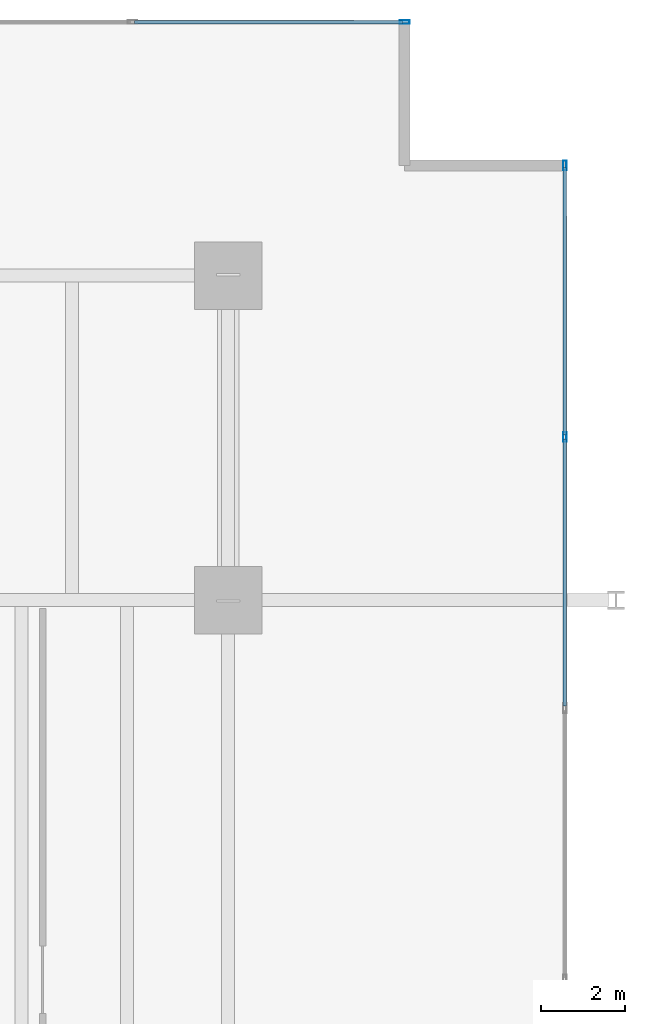
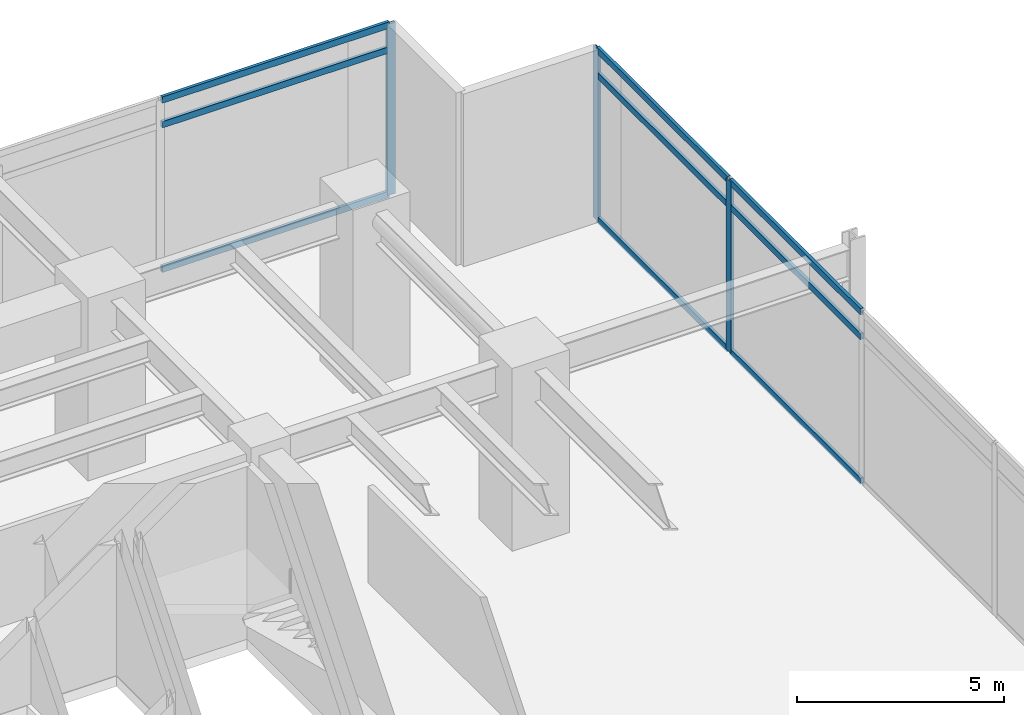
# One storey, part 17 of 23: 12 members, 2 elements without a shape of their own.
"""IFC4 building model written with IfcOpenShell, lengths in metres."""

from ifc_helpers import new_model, si_unit, direction, frame, origin, origin_2d, place, context, subcontext, project, spatial, hollow_rectangle, extrude, material, material_profile, profile_set, type_object, element, aggregate, save


model = new_model("IFC4")

# Units and contexts
model_context = context("Model", 3, precision=1e-05, world=origin(), true_north=direction((0.0, 1.0)))
body_context = subcontext(model_context, "Body", "Model", "MODEL_VIEW")
ifc_project = project(units=[si_unit("LENGTHUNIT", "METRE"), si_unit("AREAUNIT", "SQUARE_METRE"), si_unit("VOLUMEUNIT", "CUBIC_METRE"), si_unit("PLANEANGLEUNIT", "RADIAN"), si_unit("MASSUNIT", "GRAM", prefix="KILO")], contexts=[model_context])

# Site, building, storey
site_placement = place(None, origin())
site = spatial("IfcSite", under=ifc_project, at=site_placement, CompositionType="ELEMENT")
building_placement = place(site_placement, origin())
building = spatial("IfcBuilding", under=site, at=building_placement, Name="Kovane Verandah Tower", CompositionType="ELEMENT")
storey_placement = place(building_placement, frame((0.0, 0.0, 107.60009765625)))
storey = spatial("IfcBuildingStorey", under=building, at=storey_placement, Name="L25", CompositionType="ELEMENT", Elevation=107.60009765625)

# Curtain wall, members
ifc_material_1 = material(Name="Champagne Anodised Aluminium Frame with Low-E Clear Laminated Glass", Category="aluminium")
curtain_wall_type = type_object("IfcCurtainWallType", Name="CW-SYS-02-LOW", PredefinedType="NOTDEFINED", material=ifc_material_1)
curtain_wall_1_placement = place(storey_placement, origin())
curtain_wall_1 = element("IfcCurtainWall", 1, at=curtain_wall_1_placement, inside=storey, type_object=curtain_wall_type, Name="L25 E Unitised Curtain Wall", PredefinedType="NOTDEFINED")
ifc_material_2 = material(Name="Champagne Anodised Aluminium 6063-T6", Category="aluminium")
ifc_material_profile_1 = material_profile(ifc_material_2, hollow_rectangle(XDim=0.0849609375, YDim=0.22998046875, WallThickness=0.00390625, at=origin_2d()), Name="AL85x230x4")
ifc_profile_set_1 = profile_set([ifc_material_profile_1], Name="Champagne Anodised Aluminium 6063-T6")
member_type_1 = type_object("IfcMemberType", Name="CW-MUL-85x230", PredefinedType="MULLION", material=ifc_profile_set_1)
member_1_placement = place(storey_placement, frame((66.386962890625, 40.373779296875, 0.02001953125), z_axis=(0.0, 0.0, 1.0), x_axis=(1.0, 0.0, 0.0)))
member_1 = element("IfcMember", 2, at=member_1_placement, type_object=member_type_1, Name="L25 E Unitised Curtain Wall Mullion 6", PredefinedType="MULLION", context=body_context, shape_type="SweptSolid", body=[
    extrude(hollow_rectangle(XDim=0.0849609375, YDim=0.22998046875, WallThickness=0.00390625, at=origin_2d()), origin(), (0.0, 0.0, 1.0), 5.059814453125),
])
member_2_placement = place(storey_placement, frame((66.386962890625, 46.810791015625, 0.02001953125), z_axis=(0.0, 0.0, 1.0), x_axis=(1.0, 0.0, 0.0)))
member_2 = element("IfcMember", 3, at=member_2_placement, type_object=member_type_1, Name="L25 E Unitised Curtain Wall Mullion 7", PredefinedType="MULLION", context=body_context, shape_type="SweptSolid", body=[
    extrude(hollow_rectangle(XDim=0.0849609375, YDim=0.22998046875, WallThickness=0.00390625, at=origin_2d()), origin(), (0.0, 0.0, 1.0), 5.059814453125),
])

# Curtain wall, member
curtain_wall_2_placement = place(storey_placement, origin())
curtain_wall_2 = element("IfcCurtainWall", 4, at=curtain_wall_2_placement, inside=storey, type_object=curtain_wall_type, Name="L25 N Unitised Curtain Wall", PredefinedType="NOTDEFINED")
member_3_placement = place(storey_placement, frame((62.5869140625, 50.2109375, 0.02001953125), z_axis=(0.0, 0.0, 1.0), x_axis=(0.0, 1.0, 0.0)))
member_3 = element("IfcMember", 5, at=member_3_placement, type_object=member_type_1, Name="L25 N Unitised Curtain Wall Mullion 1", PredefinedType="MULLION", context=body_context, shape_type="SweptSolid", body=[
    extrude(hollow_rectangle(XDim=0.0849609375, YDim=0.22998046875, WallThickness=0.00390625, at=origin_2d()), origin(), (0.0, 0.0, 1.0), 5.059814453125),
])

# Member
ifc_material_profile_2 = material_profile(ifc_material_2, hollow_rectangle(XDim=0.0849609375, YDim=0.18994140625, WallThickness=0.00390625, at=origin_2d()), Name="AL85x190x4")
ifc_profile_set_2 = profile_set([ifc_material_profile_2], Name="Champagne Anodised Aluminium 6063-T6")
member_type_2 = type_object("IfcMemberType", Name="CW-TRN-85x190", PredefinedType="USERDEFINED", material=ifc_profile_set_2)
member_4_placement = place(storey_placement, frame((66.386962890625, 33.987060546875, 0.0498046875), z_axis=(0.0, 1.0, 0.0), x_axis=(-1.0, 0.0, 0.0)))
member_4 = element("IfcMember", 6, at=member_4_placement, type_object=member_type_2, Name="L25 E Unitised Curtain Wall Transom TB Bay 5", ObjectType="TRANSOM", PredefinedType="USERDEFINED", context=body_context, shape_type="SweptSolid", body=[
    extrude(hollow_rectangle(XDim=0.0849609375, YDim=0.18994140625, WallThickness=0.00390625, at=origin_2d()), origin(), (0.0, 0.0, 1.0), 6.3369140625),
])

member_5_placement = place(storey_placement, frame((66.386962890625, 33.987060546875, 4.31982421875), z_axis=(0.0, 1.0, 0.0), x_axis=(-1.0, 0.0, 0.0)))
member_5 = element("IfcMember", 7, at=member_5_placement, type_object=member_type_2, Name="L25 E Unitised Curtain Wall Transom TM Bay 5", ObjectType="TRANSOM", PredefinedType="USERDEFINED", context=body_context, shape_type="SweptSolid", body=[
    extrude(hollow_rectangle(XDim=0.0849609375, YDim=0.18994140625, WallThickness=0.00390625, at=origin_2d()), origin(), (0.0, 0.0, 1.0), 6.3369140625),
])

member_6_placement = place(storey_placement, frame((66.386962890625, 33.987060546875, 5.0498046875), z_axis=(0.0, 1.0, 0.0), x_axis=(-1.0, 0.0, 0.0)))
member_6 = element("IfcMember", 8, at=member_6_placement, type_object=member_type_2, Name="L25 E Unitised Curtain Wall Transom TT Bay 5", ObjectType="TRANSOM", PredefinedType="USERDEFINED", context=body_context, shape_type="SweptSolid", body=[
    extrude(hollow_rectangle(XDim=0.0849609375, YDim=0.18994140625, WallThickness=0.00390625, at=origin_2d()), origin(), (0.0, 0.0, 1.0), 6.3369140625),
])

member_7_placement = place(storey_placement, frame((66.386962890625, 40.423828125, 0.0498046875), z_axis=(0.0, 1.0, 0.0), x_axis=(-1.0, 0.0, 0.0)))
member_7 = element("IfcMember", 9, at=member_7_placement, type_object=member_type_2, Name="L25 E Unitised Curtain Wall Transom TB Bay 6", ObjectType="TRANSOM", PredefinedType="USERDEFINED", context=body_context, shape_type="SweptSolid", body=[
    extrude(hollow_rectangle(XDim=0.0849609375, YDim=0.18994140625, WallThickness=0.00390625, at=origin_2d()), origin(), (0.0, 0.0, 1.0), 6.337158203125),
])

member_8_placement = place(storey_placement, frame((66.386962890625, 40.423828125, 4.31982421875), z_axis=(0.0, 1.0, 0.0), x_axis=(-1.0, 0.0, 0.0)))
member_8 = element("IfcMember", 10, at=member_8_placement, type_object=member_type_2, Name="L25 E Unitised Curtain Wall Transom TM Bay 6", ObjectType="TRANSOM", PredefinedType="USERDEFINED", context=body_context, shape_type="SweptSolid", body=[
    extrude(hollow_rectangle(XDim=0.0849609375, YDim=0.18994140625, WallThickness=0.00390625, at=origin_2d()), origin(), (0.0, 0.0, 1.0), 6.337158203125),
])

member_9_placement = place(storey_placement, frame((66.386962890625, 40.423828125, 5.0498046875), z_axis=(0.0, 1.0, 0.0), x_axis=(-1.0, 0.0, 0.0)))
member_9 = element("IfcMember", 11, at=member_9_placement, type_object=member_type_2, Name="L25 E Unitised Curtain Wall Transom TT Bay 6", ObjectType="TRANSOM", PredefinedType="USERDEFINED", context=body_context, shape_type="SweptSolid", body=[
    extrude(hollow_rectangle(XDim=0.0849609375, YDim=0.18994140625, WallThickness=0.00390625, at=origin_2d()), origin(), (0.0, 0.0, 1.0), 6.337158203125),
])

aggregate(curtain_wall_1, [member_1, member_2, member_4, member_5, member_6, member_7, member_8, member_9])

member_10_placement = place(storey_placement, frame((62.537109375, 50.2109375, 0.0498046875), z_axis=(-1.0, 0.0, 0.0), x_axis=(0.0, -1.0, 0.0)))
member_10 = element("IfcMember", 12, at=member_10_placement, type_object=member_type_2, Name="L25 N Unitised Curtain Wall Transom TB Bay 1", ObjectType="TRANSOM", PredefinedType="USERDEFINED", context=body_context, shape_type="SweptSolid", body=[
    extrude(hollow_rectangle(XDim=0.0849609375, YDim=0.18994140625, WallThickness=0.00390625, at=origin_2d()), origin(), (0.0, 0.0, 1.0), 6.353515625),
])

member_11_placement = place(storey_placement, frame((62.537109375, 50.2109375, 4.31982421875), z_axis=(-1.0, 0.0, 0.0), x_axis=(0.0, -1.0, 0.0)))
member_11 = element("IfcMember", 13, at=member_11_placement, type_object=member_type_2, Name="L25 N Unitised Curtain Wall Transom TM Bay 1", ObjectType="TRANSOM", PredefinedType="USERDEFINED", context=body_context, shape_type="SweptSolid", body=[
    extrude(hollow_rectangle(XDim=0.0849609375, YDim=0.18994140625, WallThickness=0.00390625, at=origin_2d()), origin(), (0.0, 0.0, 1.0), 6.353515625),
])

member_12_placement = place(storey_placement, frame((62.537109375, 50.2109375, 5.0498046875), z_axis=(-1.0, 0.0, 0.0), x_axis=(0.0, -1.0, 0.0)))
member_12 = element("IfcMember", 14, at=member_12_placement, type_object=member_type_2, Name="L25 N Unitised Curtain Wall Transom TT Bay 1", ObjectType="TRANSOM", PredefinedType="USERDEFINED", context=body_context, shape_type="SweptSolid", body=[
    extrude(hollow_rectangle(XDim=0.0849609375, YDim=0.18994140625, WallThickness=0.00390625, at=origin_2d()), origin(), (0.0, 0.0, 1.0), 6.353515625),
])

aggregate(curtain_wall_2, [member_3, member_10, member_11, member_12])

save(model, "model.ifc")
